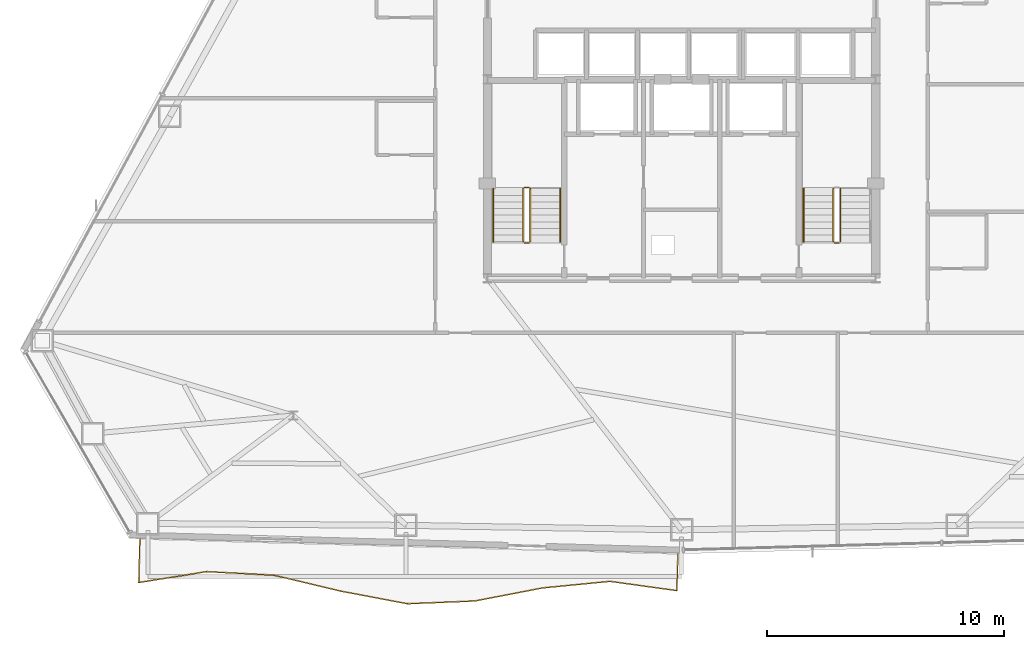
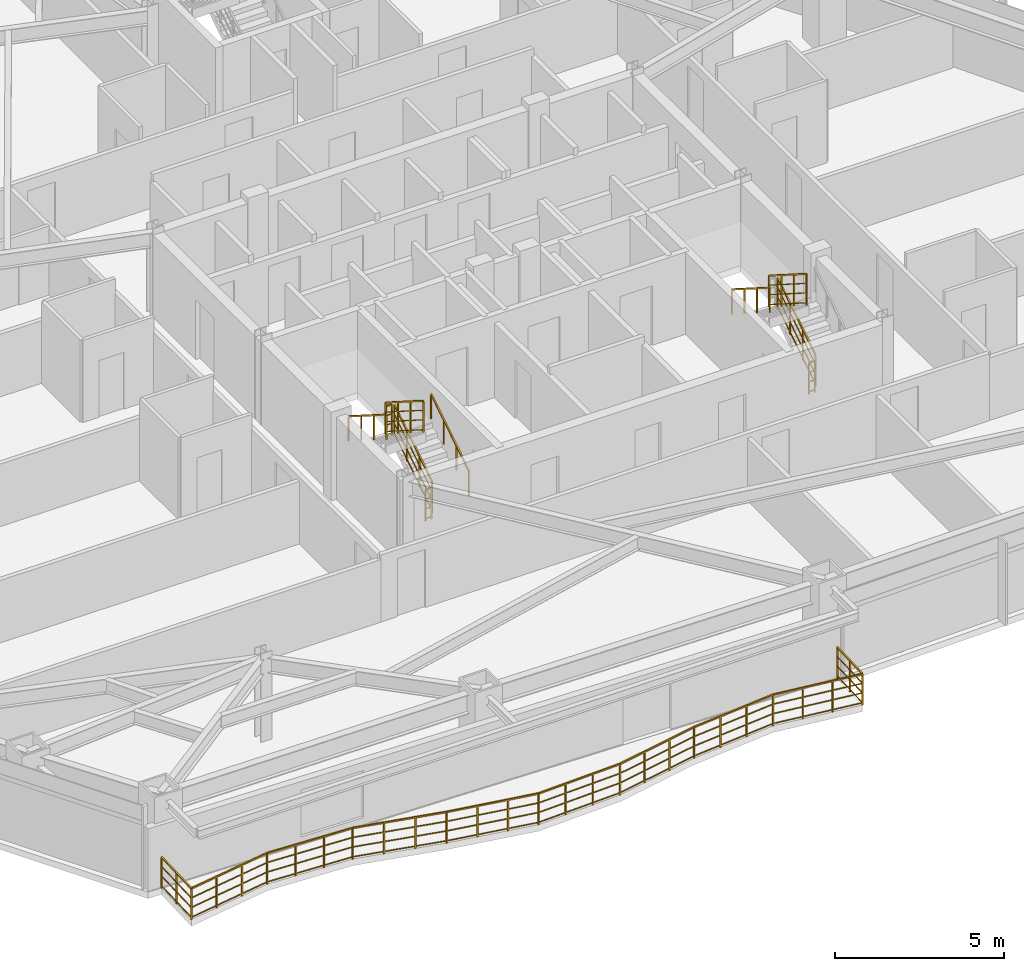
# One storey, part 13 of 14: 20 railings.
"""IFC4 building model written with IfcOpenShell, lengths in metres."""

from ifc_helpers import new_model, si_unit, direction, frame, origin, origin_2d, place, context, subcontext, project, spatial, rectangle, extrude, material, type_object, element, save


model = new_model("IFC4")

# Units and contexts
model_context = context("Model", 3, precision=1e-05, world=origin(), true_north=direction((0.0, 1.0)))
body_context = subcontext(model_context, "Body", "Model", "MODEL_VIEW")
ifc_project = project(units=[si_unit("LENGTHUNIT", "METRE"), si_unit("AREAUNIT", "SQUARE_METRE"), si_unit("VOLUMEUNIT", "CUBIC_METRE"), si_unit("PLANEANGLEUNIT", "RADIAN"), si_unit("MASSUNIT", "GRAM", prefix="KILO")], contexts=[model_context])

# Site, building, storey
site_placement = place(None, origin())
site = spatial("IfcSite", under=ifc_project, at=site_placement, CompositionType="ELEMENT")
building_placement = place(site_placement, origin())
building = spatial("IfcBuilding", under=site, at=building_placement, Name="Varakhsha Concourse Tower", CompositionType="ELEMENT")
storey_placement = place(building_placement, frame((0.0, 0.0, 105.39990234375)))
storey = spatial("IfcBuildingStorey", under=building, at=storey_placement, Name="L30", CompositionType="ELEMENT", Elevation=105.39990234375)

# Railings
ifc_material_1 = material(Name="Laminated Structural Low-Iron Glass 52 mm", Category="glass")
railing_type_1 = type_object("IfcRailingType", Name="RL-BALUSTRADE-1150", PredefinedType="BALUSTRADE", material=ifc_material_1)
railing_1_placement = place(storey_placement, frame((17.11572265625, 5.3876953125, 0.0)))
element("IfcRailing", 1, at=railing_1_placement, inside=storey, type_object=railing_type_1, Name="L30 Perimeter Safety Balustrade RL-LOG-L30-01", PredefinedType="BALUSTRADE", context=body_context, shape_type="SweptSolid", body=[
    extrude(rectangle(XDim=0.048095703125, YDim=0.048095703125, at=origin_2d()), frame((0.0, 0.0, 1.1259765625), z_axis=(-0.027448400015, -0.999623221687, 0.0), x_axis=(0.999623221687, -0.027448400015, 0.0)), (0.0, 0.0, 1.0), 1.85009765625),
    extrude(rectangle(XDim=0.028076171875, YDim=0.028076171875, at=origin_2d()), frame((0.0, 0.0, 0.080078125), z_axis=(-0.027448400015, -0.999623221687, 0.0), x_axis=(0.999623221687, -0.027448400015, 0.0)), (0.0, 0.0, 1.0), 1.85009765625),
    extrude(rectangle(XDim=0.028076171875, YDim=0.028076171875, at=origin_2d()), frame((0.0, 0.0, 0.43701171875), z_axis=(-0.027448400015, -0.999623221687, 0.0), x_axis=(0.999623221687, -0.027448400015, 0.0)), (0.0, 0.0, 1.0), 1.85009765625),
    extrude(rectangle(XDim=0.028076171875, YDim=0.028076171875, at=origin_2d()), frame((0.0, 0.0, 0.781982421875), z_axis=(-0.027448400015, -0.999623221687, 0.0), x_axis=(0.999623221687, -0.027448400015, 0.0)), (0.0, 0.0, 1.0), 1.85009765625),
    extrude(rectangle(XDim=0.0419921875, YDim=0.0419921875, at=origin_2d()), origin(), (0.0, 0.0, 1.0), 1.101806640625),
    extrude(rectangle(XDim=0.0419921875, YDim=0.0419921875, at=origin_2d()), frame((-0.025390625, -0.9248046875, 0.0)), (0.0, 0.0, 1.0), 1.101806640625),
    extrude(rectangle(XDim=0.0419921875, YDim=0.0419921875, at=origin_2d()), frame((-0.05078125, -1.849365234375, 0.0)), (0.0, 0.0, 1.0), 1.101806640625),
])
railing_2_placement = place(storey_placement, frame((17.06494140625, 3.538330078125, 0.0)))
element("IfcRailing", 2, at=railing_2_placement, inside=storey, type_object=railing_type_1, Name="L30 Perimeter Safety Balustrade RL-LOG-L30-02", PredefinedType="BALUSTRADE", context=body_context, shape_type="SweptSolid", body=[
    extrude(rectangle(XDim=0.048095703125, YDim=0.048095703125, at=origin_2d()), frame((0.0, 0.0, 1.1259765625), z_axis=(0.98725566501, 0.159142237967, 0.0), x_axis=(-0.159142237967, 0.98725566501, 0.0)), (0.0, 0.0, 1.0), 2.893310546875),
    extrude(rectangle(XDim=0.028076171875, YDim=0.028076171875, at=origin_2d()), frame((0.0, 0.0, 0.080078125), z_axis=(0.98725566501, 0.159142237967, 0.0), x_axis=(-0.159142237967, 0.98725566501, 0.0)), (0.0, 0.0, 1.0), 2.893310546875),
    extrude(rectangle(XDim=0.028076171875, YDim=0.028076171875, at=origin_2d()), frame((0.0, 0.0, 0.43701171875), z_axis=(0.98725566501, 0.159142237967, 0.0), x_axis=(-0.159142237967, 0.98725566501, 0.0)), (0.0, 0.0, 1.0), 2.893310546875),
    extrude(rectangle(XDim=0.028076171875, YDim=0.028076171875, at=origin_2d()), frame((0.0, 0.0, 0.781982421875), z_axis=(0.98725566501, 0.159142237967, 0.0), x_axis=(-0.159142237967, 0.98725566501, 0.0)), (0.0, 0.0, 1.0), 2.893310546875),
    extrude(rectangle(XDim=0.0419921875, YDim=0.0419921875, at=origin_2d()), origin(), (0.0, 0.0, 1.0), 1.101806640625),
    extrude(rectangle(XDim=0.0419921875, YDim=0.0419921875, at=origin_2d()), frame((0.9521484375, 0.153564453125, 0.0)), (0.0, 0.0, 1.0), 1.101806640625),
    extrude(rectangle(XDim=0.0419921875, YDim=0.0419921875, at=origin_2d()), frame((1.904296875, 0.306884765625, 0.0)), (0.0, 0.0, 1.0), 1.101806640625),
    extrude(rectangle(XDim=0.0419921875, YDim=0.0419921875, at=origin_2d()), frame((2.8564453125, 0.46044921875, 0.0)), (0.0, 0.0, 1.0), 1.101806640625),
])
railing_3_placement = place(storey_placement, frame((19.92138671875, 3.998779296875, 0.0)))
element("IfcRailing", 3, at=railing_3_placement, inside=storey, type_object=railing_type_1, Name="L30 Perimeter Safety Balustrade RL-LOG-L30-03", PredefinedType="BALUSTRADE", context=body_context, shape_type="SweptSolid", body=[
    extrude(rectangle(XDim=0.048095703125, YDim=0.048095703125, at=origin_2d()), frame((0.0, 0.0, 1.1259765625), z_axis=(0.998716329065, -0.050652680663, 0.0), x_axis=(0.050652680663, 0.998716329065, 0.0)), (0.0, 0.0, 1.0), 2.84375),
    extrude(rectangle(XDim=0.028076171875, YDim=0.028076171875, at=origin_2d()), frame((0.0, 0.0, 0.080078125), z_axis=(0.998716329065, -0.050652680663, 0.0), x_axis=(0.050652680663, 0.998716329065, 0.0)), (0.0, 0.0, 1.0), 2.84375),
    extrude(rectangle(XDim=0.028076171875, YDim=0.028076171875, at=origin_2d()), frame((0.0, 0.0, 0.43701171875), z_axis=(0.998716329065, -0.050652680663, 0.0), x_axis=(0.050652680663, 0.998716329065, 0.0)), (0.0, 0.0, 1.0), 2.84375),
    extrude(rectangle(XDim=0.028076171875, YDim=0.028076171875, at=origin_2d()), frame((0.0, 0.0, 0.781982421875), z_axis=(0.998716329065, -0.050652680663, 0.0), x_axis=(0.050652680663, 0.998716329065, 0.0)), (0.0, 0.0, 1.0), 2.84375),
    extrude(rectangle(XDim=0.0419921875, YDim=0.0419921875, at=origin_2d()), origin(), (0.0, 0.0, 1.0), 1.101806640625),
    extrude(rectangle(XDim=0.0419921875, YDim=0.0419921875, at=origin_2d()), frame((0.94677734375, -0.048095703125, 0.0)), (0.0, 0.0, 1.0), 1.101806640625),
    extrude(rectangle(XDim=0.0419921875, YDim=0.0419921875, at=origin_2d()), frame((1.893310546875, -0.095947265625, 0.0)), (0.0, 0.0, 1.0), 1.101806640625),
    extrude(rectangle(XDim=0.0419921875, YDim=0.0419921875, at=origin_2d()), frame((2.840087890625, -0.14404296875, 0.0)), (0.0, 0.0, 1.0), 1.101806640625),
])
railing_4_placement = place(storey_placement, frame((22.761474609375, 3.854736328125, 0.0)))
element("IfcRailing", 4, at=railing_4_placement, inside=storey, type_object=railing_type_1, Name="L30 Perimeter Safety Balustrade RL-LOG-L30-04", PredefinedType="BALUSTRADE", context=body_context, shape_type="SweptSolid", body=[
    extrude(rectangle(XDim=0.048095703125, YDim=0.048095703125, at=origin_2d()), frame((0.0, 0.0, 1.1259765625), z_axis=(0.972625570758, -0.232377923023, 0.0), x_axis=(0.232377923023, 0.972625570758, 0.0)), (0.0, 0.0, 1.0), 2.905029296875),
    extrude(rectangle(XDim=0.028076171875, YDim=0.028076171875, at=origin_2d()), frame((0.0, 0.0, 0.080078125), z_axis=(0.972625570758, -0.232377923023, 0.0), x_axis=(0.232377923023, 0.972625570758, 0.0)), (0.0, 0.0, 1.0), 2.905029296875),
    extrude(rectangle(XDim=0.028076171875, YDim=0.028076171875, at=origin_2d()), frame((0.0, 0.0, 0.43701171875), z_axis=(0.972625570758, -0.232377923023, 0.0), x_axis=(0.232377923023, 0.972625570758, 0.0)), (0.0, 0.0, 1.0), 2.905029296875),
    extrude(rectangle(XDim=0.028076171875, YDim=0.028076171875, at=origin_2d()), frame((0.0, 0.0, 0.781982421875), z_axis=(0.972625570758, -0.232377923023, 0.0), x_axis=(0.232377923023, 0.972625570758, 0.0)), (0.0, 0.0, 1.0), 2.905029296875),
    extrude(rectangle(XDim=0.0419921875, YDim=0.0419921875, at=origin_2d()), origin(), (0.0, 0.0, 1.0), 1.101806640625),
    extrude(rectangle(XDim=0.0419921875, YDim=0.0419921875, at=origin_2d()), frame((0.94189453125, -0.22509765625, 0.0)), (0.0, 0.0, 1.0), 1.101806640625),
    extrude(rectangle(XDim=0.0419921875, YDim=0.0419921875, at=origin_2d()), frame((1.883544921875, -0.449951171875, 0.0)), (0.0, 0.0, 1.0), 1.101806640625),
    extrude(rectangle(XDim=0.0419921875, YDim=0.0419921875, at=origin_2d()), frame((2.825439453125, -0.675048828125, 0.0)), (0.0, 0.0, 1.0), 1.101806640625),
])
railing_5_placement = place(storey_placement, frame((25.5869140625, 3.1796875, 0.0)))
element("IfcRailing", 5, at=railing_5_placement, inside=storey, type_object=railing_type_1, Name="L30 Perimeter Safety Balustrade RL-LOG-L30-05", PredefinedType="BALUSTRADE", context=body_context, shape_type="SweptSolid", body=[
    extrude(rectangle(XDim=0.048095703125, YDim=0.048095703125, at=origin_2d()), frame((0.0, 0.0, 1.1259765625), z_axis=(0.982513276252, -0.186192540098, 0.0), x_axis=(0.186192540098, 0.982513276252, 0.0)), (0.0, 0.0, 1.0), 2.87939453125),
    extrude(rectangle(XDim=0.028076171875, YDim=0.028076171875, at=origin_2d()), frame((0.0, 0.0, 0.080078125), z_axis=(0.982513276252, -0.186192540098, 0.0), x_axis=(0.186192540098, 0.982513276252, 0.0)), (0.0, 0.0, 1.0), 2.87939453125),
    extrude(rectangle(XDim=0.028076171875, YDim=0.028076171875, at=origin_2d()), frame((0.0, 0.0, 0.43701171875), z_axis=(0.982513276252, -0.186192540098, 0.0), x_axis=(0.186192540098, 0.982513276252, 0.0)), (0.0, 0.0, 1.0), 2.87939453125),
    extrude(rectangle(XDim=0.028076171875, YDim=0.028076171875, at=origin_2d()), frame((0.0, 0.0, 0.781982421875), z_axis=(0.982513276252, -0.186192540098, 0.0), x_axis=(0.186192540098, 0.982513276252, 0.0)), (0.0, 0.0, 1.0), 2.87939453125),
    extrude(rectangle(XDim=0.0419921875, YDim=0.0419921875, at=origin_2d()), origin(), (0.0, 0.0, 1.0), 1.101806640625),
    extrude(rectangle(XDim=0.0419921875, YDim=0.0419921875, at=origin_2d()), frame((0.943115234375, -0.1787109375, 0.0)), (0.0, 0.0, 1.0), 1.101806640625),
    extrude(rectangle(XDim=0.0419921875, YDim=0.0419921875, at=origin_2d()), frame((1.885986328125, -0.357421875, 0.0)), (0.0, 0.0, 1.0), 1.101806640625),
    extrude(rectangle(XDim=0.0419921875, YDim=0.0419921875, at=origin_2d()), frame((2.8291015625, -0.5361328125, 0.0)), (0.0, 0.0, 1.0), 1.101806640625),
])
railing_6_placement = place(storey_placement, frame((28.416015625, 2.6435546875, 0.0)))
element("IfcRailing", 6, at=railing_6_placement, inside=storey, type_object=railing_type_1, Name="L30 Perimeter Safety Balustrade RL-LOG-L30-06", PredefinedType="BALUSTRADE", context=body_context, shape_type="SweptSolid", body=[
    extrude(rectangle(XDim=0.048095703125, YDim=0.048095703125, at=origin_2d()), frame((0.0, 0.0, 1.1259765625), z_axis=(0.999168053101, 0.040782369514, 0.0), x_axis=(-0.040782369514, 0.999168053101, 0.0)), (0.0, 0.0, 1.0), 2.849609375),
    extrude(rectangle(XDim=0.028076171875, YDim=0.028076171875, at=origin_2d()), frame((0.0, 0.0, 0.080078125), z_axis=(0.999168053101, 0.040782369514, 0.0), x_axis=(-0.040782369514, 0.999168053101, 0.0)), (0.0, 0.0, 1.0), 2.849609375),
    extrude(rectangle(XDim=0.028076171875, YDim=0.028076171875, at=origin_2d()), frame((0.0, 0.0, 0.43701171875), z_axis=(0.999168053101, 0.040782369514, 0.0), x_axis=(-0.040782369514, 0.999168053101, 0.0)), (0.0, 0.0, 1.0), 2.849609375),
    extrude(rectangle(XDim=0.028076171875, YDim=0.028076171875, at=origin_2d()), frame((0.0, 0.0, 0.781982421875), z_axis=(0.999168053101, 0.040782369514, 0.0), x_axis=(-0.040782369514, 0.999168053101, 0.0)), (0.0, 0.0, 1.0), 2.849609375),
    extrude(rectangle(XDim=0.0419921875, YDim=0.0419921875, at=origin_2d()), origin(), (0.0, 0.0, 1.0), 1.101806640625),
    extrude(rectangle(XDim=0.0419921875, YDim=0.0419921875, at=origin_2d()), frame((0.948974609375, 0.038818359375, 0.0)), (0.0, 0.0, 1.0), 1.101806640625),
    extrude(rectangle(XDim=0.0419921875, YDim=0.0419921875, at=origin_2d()), frame((1.898193359375, 0.077392578125, 0.0)), (0.0, 0.0, 1.0), 1.101806640625),
    extrude(rectangle(XDim=0.0419921875, YDim=0.0419921875, at=origin_2d()), frame((2.84716796875, 0.1162109375, 0.0)), (0.0, 0.0, 1.0), 1.101806640625),
])
railing_7_placement = place(storey_placement, frame((31.26318359375, 2.759765625, 0.0)))
element("IfcRailing", 7, at=railing_7_placement, inside=storey, type_object=railing_type_1, Name="L30 Perimeter Safety Balustrade RL-LOG-L30-07", PredefinedType="BALUSTRADE", context=body_context, shape_type="SweptSolid", body=[
    extrude(rectangle(XDim=0.048095703125, YDim=0.048095703125, at=origin_2d()), frame((0.0, 0.0, 1.1259765625), z_axis=(0.981961563981, 0.189080635879, 0.0), x_axis=(-0.189080635879, 0.981961563981, 0.0)), (0.0, 0.0, 1.0), 2.91162109375),
    extrude(rectangle(XDim=0.028076171875, YDim=0.028076171875, at=origin_2d()), frame((0.0, 0.0, 0.080078125), z_axis=(0.981961563981, 0.189080635879, 0.0), x_axis=(-0.189080635879, 0.981961563981, 0.0)), (0.0, 0.0, 1.0), 2.91162109375),
    extrude(rectangle(XDim=0.028076171875, YDim=0.028076171875, at=origin_2d()), frame((0.0, 0.0, 0.43701171875), z_axis=(0.981961563981, 0.189080635879, 0.0), x_axis=(-0.189080635879, 0.981961563981, 0.0)), (0.0, 0.0, 1.0), 2.91162109375),
    extrude(rectangle(XDim=0.028076171875, YDim=0.028076171875, at=origin_2d()), frame((0.0, 0.0, 0.781982421875), z_axis=(0.981961563981, 0.189080635879, 0.0), x_axis=(-0.189080635879, 0.981961563981, 0.0)), (0.0, 0.0, 1.0), 2.91162109375),
    extrude(rectangle(XDim=0.0419921875, YDim=0.0419921875, at=origin_2d()), origin(), (0.0, 0.0, 1.0), 1.101806640625),
    extrude(rectangle(XDim=0.0419921875, YDim=0.0419921875, at=origin_2d()), frame((0.953125, 0.18359375, 0.0)), (0.0, 0.0, 1.0), 1.101806640625),
    extrude(rectangle(XDim=0.0419921875, YDim=0.0419921875, at=origin_2d()), frame((1.906005859375, 0.366943359375, 0.0)), (0.0, 0.0, 1.0), 1.101806640625),
    extrude(rectangle(XDim=0.0419921875, YDim=0.0419921875, at=origin_2d()), frame((2.859130859375, 0.550537109375, 0.0)), (0.0, 0.0, 1.0), 1.101806640625),
])
railing_8_placement = place(storey_placement, frame((34.122314453125, 3.310302734375, 0.0)))
element("IfcRailing", 8, at=railing_8_placement, inside=storey, type_object=railing_type_1, Name="L30 Perimeter Safety Balustrade RL-LOG-L30-08", PredefinedType="BALUSTRADE", context=body_context, shape_type="SweptSolid", body=[
    extrude(rectangle(XDim=0.048095703125, YDim=0.048095703125, at=origin_2d()), frame((0.0, 0.0, 1.1259765625), z_axis=(0.995237606272, 0.097478751847, 0.0), x_axis=(-0.097478751847, 0.995237606272, 0.0)), (0.0, 0.0, 1.0), 2.865234375),
    extrude(rectangle(XDim=0.028076171875, YDim=0.028076171875, at=origin_2d()), frame((0.0, 0.0, 0.080078125), z_axis=(0.995237606272, 0.097478751847, 0.0), x_axis=(-0.097478751847, 0.995237606272, 0.0)), (0.0, 0.0, 1.0), 2.865234375),
    extrude(rectangle(XDim=0.028076171875, YDim=0.028076171875, at=origin_2d()), frame((0.0, 0.0, 0.43701171875), z_axis=(0.995237606272, 0.097478751847, 0.0), x_axis=(-0.097478751847, 0.995237606272, 0.0)), (0.0, 0.0, 1.0), 2.865234375),
    extrude(rectangle(XDim=0.028076171875, YDim=0.028076171875, at=origin_2d()), frame((0.0, 0.0, 0.781982421875), z_axis=(0.995237606272, 0.097478751847, 0.0), x_axis=(-0.097478751847, 0.995237606272, 0.0)), (0.0, 0.0, 1.0), 2.865234375),
    extrude(rectangle(XDim=0.0419921875, YDim=0.0419921875, at=origin_2d()), origin(), (0.0, 0.0, 1.0), 1.101806640625),
    extrude(rectangle(XDim=0.0419921875, YDim=0.0419921875, at=origin_2d()), frame((0.950439453125, 0.093017578125, 0.0)), (0.0, 0.0, 1.0), 1.101806640625),
    extrude(rectangle(XDim=0.0419921875, YDim=0.0419921875, at=origin_2d()), frame((1.901123046875, 0.186279296875, 0.0)), (0.0, 0.0, 1.0), 1.101806640625),
    extrude(rectangle(XDim=0.0419921875, YDim=0.0419921875, at=origin_2d()), frame((2.8515625, 0.279296875, 0.0)), (0.0, 0.0, 1.0), 1.101806640625),
])
railing_9_placement = place(storey_placement, frame((36.973876953125, 3.589599609375, 0.0)))
element("IfcRailing", 9, at=railing_9_placement, inside=storey, type_object=railing_type_1, Name="L30 Perimeter Safety Balustrade RL-LOG-L30-09", PredefinedType="BALUSTRADE", context=body_context, shape_type="SweptSolid", body=[
    extrude(rectangle(XDim=0.048095703125, YDim=0.048095703125, at=origin_2d()), frame((0.0, 0.0, 1.1259765625), z_axis=(0.990488395835, -0.137596285254, 0.0), x_axis=(0.137596285254, 0.990488395835, 0.0)), (0.0, 0.0, 1.0), 2.860107421875),
    extrude(rectangle(XDim=0.028076171875, YDim=0.028076171875, at=origin_2d()), frame((0.0, 0.0, 0.080078125), z_axis=(0.990488395835, -0.137596285254, 0.0), x_axis=(0.137596285254, 0.990488395835, 0.0)), (0.0, 0.0, 1.0), 2.860107421875),
    extrude(rectangle(XDim=0.028076171875, YDim=0.028076171875, at=origin_2d()), frame((0.0, 0.0, 0.43701171875), z_axis=(0.990488395835, -0.137596285254, 0.0), x_axis=(0.137596285254, 0.990488395835, 0.0)), (0.0, 0.0, 1.0), 2.860107421875),
    extrude(rectangle(XDim=0.028076171875, YDim=0.028076171875, at=origin_2d()), frame((0.0, 0.0, 0.781982421875), z_axis=(0.990488395835, -0.137596285254, 0.0), x_axis=(0.137596285254, 0.990488395835, 0.0)), (0.0, 0.0, 1.0), 2.860107421875),
    extrude(rectangle(XDim=0.0419921875, YDim=0.0419921875, at=origin_2d()), origin(), (0.0, 0.0, 1.0), 1.101806640625),
    extrude(rectangle(XDim=0.0419921875, YDim=0.0419921875, at=origin_2d()), frame((0.9443359375, -0.131103515625, 0.0)), (0.0, 0.0, 1.0), 1.101806640625),
    extrude(rectangle(XDim=0.0419921875, YDim=0.0419921875, at=origin_2d()), frame((1.888671875, -0.262451171875, 0.0)), (0.0, 0.0, 1.0), 1.101806640625),
    extrude(rectangle(XDim=0.0419921875, YDim=0.0419921875, at=origin_2d()), frame((2.8330078125, -0.3935546875, 0.0)), (0.0, 0.0, 1.0), 1.101806640625),
])
railing_10_placement = place(storey_placement, frame((39.806884765625, 3.196044921875, 0.0)))
element("IfcRailing", 10, at=railing_10_placement, inside=storey, type_object=railing_type_1, Name="L30 Perimeter Safety Balustrade RL-LOG-L30-10", PredefinedType="BALUSTRADE", context=body_context, shape_type="SweptSolid", body=[
    extrude(rectangle(XDim=0.048095703125, YDim=0.048095703125, at=origin_2d()), frame((0.0, 0.0, 1.1259765625), z_axis=(0.027602583272, 0.999618976109, 0.0), x_axis=(-0.999618976109, 0.027602583272, 0.0)), (0.0, 0.0, 1.0), 1.5654296875),
    extrude(rectangle(XDim=0.028076171875, YDim=0.028076171875, at=origin_2d()), frame((0.0, 0.0, 0.080078125), z_axis=(0.027602583272, 0.999618976109, 0.0), x_axis=(-0.999618976109, 0.027602583272, 0.0)), (0.0, 0.0, 1.0), 1.5654296875),
    extrude(rectangle(XDim=0.028076171875, YDim=0.028076171875, at=origin_2d()), frame((0.0, 0.0, 0.43701171875), z_axis=(0.027602583272, 0.999618976109, 0.0), x_axis=(-0.999618976109, 0.027602583272, 0.0)), (0.0, 0.0, 1.0), 1.5654296875),
    extrude(rectangle(XDim=0.028076171875, YDim=0.028076171875, at=origin_2d()), frame((0.0, 0.0, 0.781982421875), z_axis=(0.027602583272, 0.999618976109, 0.0), x_axis=(-0.999618976109, 0.027602583272, 0.0)), (0.0, 0.0, 1.0), 1.5654296875),
    extrude(rectangle(XDim=0.0419921875, YDim=0.0419921875, at=origin_2d()), origin(), (0.0, 0.0, 1.0), 1.101806640625),
    extrude(rectangle(XDim=0.0419921875, YDim=0.0419921875, at=origin_2d()), frame((0.021484375, 0.782470703125, 0.0)), (0.0, 0.0, 1.0), 1.101806640625),
    extrude(rectangle(XDim=0.0419921875, YDim=0.0419921875, at=origin_2d()), frame((0.043212890625, 1.56494140625, 0.0)), (0.0, 0.0, 1.0), 1.101806640625),
])
ifc_material_2 = material(Name="Brushed Austenitic Stainless Steel AISI 316", Category="steel")
railing_type_2 = type_object("IfcRailingType", Name="RL-STAIR-GUARD-1100", PredefinedType="GUARDRAIL", material=ifc_material_2)
railing_11_placement = place(storey_placement, frame((33.610107421875, 17.93994140625, 0.177978515625)))
element("IfcRailing", 11, at=railing_11_placement, inside=storey, type_object=railing_type_2, Name="L30 ST1 stair guard 1", PredefinedType="GUARDRAIL", context=body_context, shape_type="SweptSolid", body=[
    extrude(rectangle(XDim=0.048095703125, YDim=0.048095703125, at=origin_2d()), frame((0.0, 0.0, 1.1259765625), z_axis=(0.0, 0.8442293374, 0.53598211339), x_axis=(-1.0, 0.0, 0.0)), (0.0, 0.0, 1.0), 2.6533203125),
    extrude(rectangle(XDim=0.028076171875, YDim=0.028076171875, at=origin_2d()), frame((0.0, 0.0, 0.080078125), z_axis=(0.0, 0.8442293374, 0.53598211339), x_axis=(-1.0, 0.0, 0.0)), (0.0, 0.0, 1.0), 2.6533203125),
    extrude(rectangle(XDim=0.028076171875, YDim=0.028076171875, at=origin_2d()), frame((0.0, 0.0, 0.43701171875), z_axis=(0.0, 0.8442293374, 0.53598211339), x_axis=(-1.0, 0.0, 0.0)), (0.0, 0.0, 1.0), 2.6533203125),
    extrude(rectangle(XDim=0.028076171875, YDim=0.028076171875, at=origin_2d()), frame((0.0, 0.0, 0.781982421875), z_axis=(0.0, 0.8442293374, 0.53598211339), x_axis=(-1.0, 0.0, 0.0)), (0.0, 0.0, 1.0), 2.6533203125),
    extrude(rectangle(XDim=0.0419921875, YDim=0.0419921875, at=origin_2d()), origin(), (0.0, 0.0, 1.0), 1.101806640625),
    extrude(rectangle(XDim=0.0419921875, YDim=0.0419921875, at=origin_2d()), frame((0.0, 0.74658203125, 0.47412109375)), (0.0, 0.0, 1.0), 1.101806640625),
    extrude(rectangle(XDim=0.0419921875, YDim=0.0419921875, at=origin_2d()), frame((0.0, 1.493408203125, 0.947998046875)), (0.0, 0.0, 1.0), 1.101806640625),
    extrude(rectangle(XDim=0.0419921875, YDim=0.0419921875, at=origin_2d()), frame((0.0, 2.239990234375, 1.422119140625)), (0.0, 0.0, 1.0), 1.101806640625),
])
railing_12_placement = place(storey_placement, frame((33.56005859375, 20.22998046875, 1.60009765625)))
element("IfcRailing", 12, at=railing_12_placement, inside=storey, type_object=railing_type_2, Name="L30 ST1 stair guard 2", PredefinedType="GUARDRAIL", context=body_context, shape_type="SweptSolid", body=[
    extrude(rectangle(XDim=0.048095703125, YDim=0.048095703125, at=origin_2d()), frame((0.0, 0.0, 1.1259765625), z_axis=(-1.0, 0.0, 0.0), x_axis=(0.0, -1.0, 0.0)), (0.0, 0.0, 1.0), 0.199951171875),
    extrude(rectangle(XDim=0.028076171875, YDim=0.028076171875, at=origin_2d()), frame((0.0, 0.0, 0.080078125), z_axis=(-1.0, 0.0, 0.0), x_axis=(0.0, -1.0, 0.0)), (0.0, 0.0, 1.0), 0.199951171875),
    extrude(rectangle(XDim=0.028076171875, YDim=0.028076171875, at=origin_2d()), frame((0.0, 0.0, 0.43701171875), z_axis=(-1.0, 0.0, 0.0), x_axis=(0.0, -1.0, 0.0)), (0.0, 0.0, 1.0), 0.199951171875),
    extrude(rectangle(XDim=0.028076171875, YDim=0.028076171875, at=origin_2d()), frame((0.0, 0.0, 0.781982421875), z_axis=(-1.0, 0.0, 0.0), x_axis=(0.0, -1.0, 0.0)), (0.0, 0.0, 1.0), 0.199951171875),
    extrude(rectangle(XDim=0.0419921875, YDim=0.0419921875, at=origin_2d()), origin(), (0.0, 0.0, 1.0), 1.101806640625),
    extrude(rectangle(XDim=0.0419921875, YDim=0.0419921875, at=origin_2d()), frame((-0.199951171875, 0.0, 0.0)), (0.0, 0.0, 1.0), 1.101806640625),
])
railing_13_placement = place(storey_placement, frame((33.31005859375, 20.179931640625, 1.77783203125)))
element("IfcRailing", 13, at=railing_13_placement, inside=storey, type_object=railing_type_2, Name="L30 ST1 stair guard 3", PredefinedType="GUARDRAIL", context=body_context, shape_type="SweptSolid", body=[
    extrude(rectangle(XDim=0.048095703125, YDim=0.048095703125, at=origin_2d()), frame((0.0, 0.0, 1.1259765625), z_axis=(0.0, -0.84418770128, 0.536047689118), x_axis=(1.0, 0.0, 0.0)), (0.0, 0.0, 1.0), 2.6533203125),
    extrude(rectangle(XDim=0.028076171875, YDim=0.028076171875, at=origin_2d()), frame((0.0, 0.0, 0.080078125), z_axis=(0.0, -0.84418770128, 0.536047689118), x_axis=(1.0, 0.0, 0.0)), (0.0, 0.0, 1.0), 2.6533203125),
    extrude(rectangle(XDim=0.028076171875, YDim=0.028076171875, at=origin_2d()), frame((0.0, 0.0, 0.43701171875), z_axis=(0.0, -0.84418770128, 0.536047689118), x_axis=(1.0, 0.0, 0.0)), (0.0, 0.0, 1.0), 2.6533203125),
    extrude(rectangle(XDim=0.028076171875, YDim=0.028076171875, at=origin_2d()), frame((0.0, 0.0, 0.781982421875), z_axis=(0.0, -0.84418770128, 0.536047689118), x_axis=(1.0, 0.0, 0.0)), (0.0, 0.0, 1.0), 2.6533203125),
    extrude(rectangle(XDim=0.0419921875, YDim=0.0419921875, at=origin_2d()), origin(), (0.0, 0.0, 1.0), 1.101806640625),
    extrude(rectangle(XDim=0.0419921875, YDim=0.0419921875, at=origin_2d()), frame((0.0, -0.74658203125, 0.47412109375)), (0.0, 0.0, 1.0), 1.101806640625),
    extrude(rectangle(XDim=0.0419921875, YDim=0.0419921875, at=origin_2d()), frame((0.0, -1.493408203125, 0.9482421875)), (0.0, 0.0, 1.0), 1.101806640625),
    extrude(rectangle(XDim=0.0419921875, YDim=0.0419921875, at=origin_2d()), frame((0.0, -2.239990234375, 1.42236328125)), (0.0, 0.0, 1.0), 1.101806640625),
])
railing_14_placement = place(storey_placement, frame((33.56005859375, 17.889892578125, 0.0)))
element("IfcRailing", 14, at=railing_14_placement, inside=storey, type_object=railing_type_2, Name="L30 ST1 stair guard 4", PredefinedType="GUARDRAIL", context=body_context, shape_type="SweptSolid", body=[
    extrude(rectangle(XDim=0.048095703125, YDim=0.048095703125, at=origin_2d()), frame((0.0, 0.0, 1.1259765625), z_axis=(-1.0, 0.0, 0.0), x_axis=(0.0, -1.0, 0.0)), (0.0, 0.0, 1.0), 0.199951171875),
    extrude(rectangle(XDim=0.028076171875, YDim=0.028076171875, at=origin_2d()), frame((0.0, 0.0, 0.080078125), z_axis=(-1.0, 0.0, 0.0), x_axis=(0.0, -1.0, 0.0)), (0.0, 0.0, 1.0), 0.199951171875),
    extrude(rectangle(XDim=0.028076171875, YDim=0.028076171875, at=origin_2d()), frame((0.0, 0.0, 0.43701171875), z_axis=(-1.0, 0.0, 0.0), x_axis=(0.0, -1.0, 0.0)), (0.0, 0.0, 1.0), 0.199951171875),
    extrude(rectangle(XDim=0.028076171875, YDim=0.028076171875, at=origin_2d()), frame((0.0, 0.0, 0.781982421875), z_axis=(-1.0, 0.0, 0.0), x_axis=(0.0, -1.0, 0.0)), (0.0, 0.0, 1.0), 0.199951171875),
    extrude(rectangle(XDim=0.0419921875, YDim=0.0419921875, at=origin_2d()), origin(), (0.0, 0.0, 1.0), 1.101806640625),
    extrude(rectangle(XDim=0.0419921875, YDim=0.0419921875, at=origin_2d()), frame((-0.199951171875, 0.0, 0.0)), (0.0, 0.0, 1.0), 1.101806640625),
])
railing_15_placement = place(storey_placement, frame((46.7099609375, 17.93994140625, 0.177978515625)))
element("IfcRailing", 15, at=railing_15_placement, inside=storey, type_object=railing_type_2, Name="L30 ST2 stair guard 1", PredefinedType="GUARDRAIL", context=body_context, shape_type="SweptSolid", body=[
    extrude(rectangle(XDim=0.048095703125, YDim=0.048095703125, at=origin_2d()), frame((0.0, 0.0, 1.1259765625), z_axis=(0.0, 0.8442293374, 0.53598211339), x_axis=(-1.0, 0.0, 0.0)), (0.0, 0.0, 1.0), 2.6533203125),
    extrude(rectangle(XDim=0.028076171875, YDim=0.028076171875, at=origin_2d()), frame((0.0, 0.0, 0.080078125), z_axis=(0.0, 0.8442293374, 0.53598211339), x_axis=(-1.0, 0.0, 0.0)), (0.0, 0.0, 1.0), 2.6533203125),
    extrude(rectangle(XDim=0.028076171875, YDim=0.028076171875, at=origin_2d()), frame((0.0, 0.0, 0.43701171875), z_axis=(0.0, 0.8442293374, 0.53598211339), x_axis=(-1.0, 0.0, 0.0)), (0.0, 0.0, 1.0), 2.6533203125),
    extrude(rectangle(XDim=0.028076171875, YDim=0.028076171875, at=origin_2d()), frame((0.0, 0.0, 0.781982421875), z_axis=(0.0, 0.8442293374, 0.53598211339), x_axis=(-1.0, 0.0, 0.0)), (0.0, 0.0, 1.0), 2.6533203125),
    extrude(rectangle(XDim=0.0419921875, YDim=0.0419921875, at=origin_2d()), origin(), (0.0, 0.0, 1.0), 1.101806640625),
    extrude(rectangle(XDim=0.0419921875, YDim=0.0419921875, at=origin_2d()), frame((0.0, 0.74658203125, 0.47412109375)), (0.0, 0.0, 1.0), 1.101806640625),
    extrude(rectangle(XDim=0.0419921875, YDim=0.0419921875, at=origin_2d()), frame((0.0, 1.493408203125, 0.947998046875)), (0.0, 0.0, 1.0), 1.101806640625),
    extrude(rectangle(XDim=0.0419921875, YDim=0.0419921875, at=origin_2d()), frame((0.0, 2.239990234375, 1.422119140625)), (0.0, 0.0, 1.0), 1.101806640625),
])
railing_16_placement = place(storey_placement, frame((46.409912109375, 20.179931640625, 1.77783203125)))
element("IfcRailing", 16, at=railing_16_placement, inside=storey, type_object=railing_type_2, Name="L30 ST2 stair guard 3", PredefinedType="GUARDRAIL", context=body_context, shape_type="SweptSolid", body=[
    extrude(rectangle(XDim=0.048095703125, YDim=0.048095703125, at=origin_2d()), frame((0.0, 0.0, 1.1259765625), z_axis=(0.0, -0.84418770128, 0.536047689118), x_axis=(1.0, 0.0, 0.0)), (0.0, 0.0, 1.0), 2.6533203125),
    extrude(rectangle(XDim=0.028076171875, YDim=0.028076171875, at=origin_2d()), frame((0.0, 0.0, 0.080078125), z_axis=(0.0, -0.84418770128, 0.536047689118), x_axis=(1.0, 0.0, 0.0)), (0.0, 0.0, 1.0), 2.6533203125),
    extrude(rectangle(XDim=0.028076171875, YDim=0.028076171875, at=origin_2d()), frame((0.0, 0.0, 0.43701171875), z_axis=(0.0, -0.84418770128, 0.536047689118), x_axis=(1.0, 0.0, 0.0)), (0.0, 0.0, 1.0), 2.6533203125),
    extrude(rectangle(XDim=0.028076171875, YDim=0.028076171875, at=origin_2d()), frame((0.0, 0.0, 0.781982421875), z_axis=(0.0, -0.84418770128, 0.536047689118), x_axis=(1.0, 0.0, 0.0)), (0.0, 0.0, 1.0), 2.6533203125),
    extrude(rectangle(XDim=0.0419921875, YDim=0.0419921875, at=origin_2d()), origin(), (0.0, 0.0, 1.0), 1.101806640625),
    extrude(rectangle(XDim=0.0419921875, YDim=0.0419921875, at=origin_2d()), frame((0.0, -0.74658203125, 0.47412109375)), (0.0, 0.0, 1.0), 1.101806640625),
    extrude(rectangle(XDim=0.0419921875, YDim=0.0419921875, at=origin_2d()), frame((0.0, -1.493408203125, 0.9482421875)), (0.0, 0.0, 1.0), 1.101806640625),
    extrude(rectangle(XDim=0.0419921875, YDim=0.0419921875, at=origin_2d()), frame((0.0, -2.239990234375, 1.42236328125)), (0.0, 0.0, 1.0), 1.101806640625),
])
railing_17_placement = place(storey_placement, frame((46.659912109375, 17.889892578125, 0.0)))
element("IfcRailing", 17, at=railing_17_placement, inside=storey, type_object=railing_type_2, Name="L30 ST2 stair guard 4", PredefinedType="GUARDRAIL", context=body_context, shape_type="SweptSolid", body=[
    extrude(rectangle(XDim=0.048095703125, YDim=0.048095703125, at=origin_2d()), frame((0.0, 0.0, 1.1259765625), z_axis=(-1.0, 0.0, 0.0), x_axis=(0.0, -1.0, 0.0)), (0.0, 0.0, 1.0), 0.199951171875),
    extrude(rectangle(XDim=0.028076171875, YDim=0.028076171875, at=origin_2d()), frame((0.0, 0.0, 0.080078125), z_axis=(-1.0, 0.0, 0.0), x_axis=(0.0, -1.0, 0.0)), (0.0, 0.0, 1.0), 0.199951171875),
    extrude(rectangle(XDim=0.028076171875, YDim=0.028076171875, at=origin_2d()), frame((0.0, 0.0, 0.43701171875), z_axis=(-1.0, 0.0, 0.0), x_axis=(0.0, -1.0, 0.0)), (0.0, 0.0, 1.0), 0.199951171875),
    extrude(rectangle(XDim=0.028076171875, YDim=0.028076171875, at=origin_2d()), frame((0.0, 0.0, 0.781982421875), z_axis=(-1.0, 0.0, 0.0), x_axis=(0.0, -1.0, 0.0)), (0.0, 0.0, 1.0), 0.199951171875),
    extrude(rectangle(XDim=0.0419921875, YDim=0.0419921875, at=origin_2d()), origin(), (0.0, 0.0, 1.0), 1.101806640625),
    extrude(rectangle(XDim=0.0419921875, YDim=0.0419921875, at=origin_2d()), frame((-0.199951171875, 0.0, 0.0)), (0.0, 0.0, 1.0), 1.101806640625),
])
railing_type_3 = type_object("IfcRailingType", Name="RL-STAIR-RAIL-915", PredefinedType="HANDRAIL", material=ifc_material_2)
railing_18_placement = place(storey_placement, frame((34.8701171875, 17.93994140625, 0.355712890625)))
element("IfcRailing", 18, at=railing_18_placement, inside=storey, type_object=railing_type_3, Name="L30 ST1 stair handrail 1", PredefinedType="HANDRAIL", context=body_context, shape_type="SweptSolid", body=[
    extrude(rectangle(XDim=0.048095703125, YDim=0.048095703125, at=origin_2d()), frame((0.0, 0.0, 0.89111328125), z_axis=(0.0, 0.8442293374, 0.53598211339), x_axis=(-1.0, 0.0, 0.0)), (0.0, 0.0, 1.0), 2.6533203125),
    extrude(rectangle(XDim=0.0419921875, YDim=0.0419921875, at=origin_2d()), origin(), (0.0, 0.0, 1.0), 0.866943359375),
    extrude(rectangle(XDim=0.0419921875, YDim=0.0419921875, at=origin_2d()), frame((0.0, 0.74658203125, 0.47412109375)), (0.0, 0.0, 1.0), 0.866943359375),
    extrude(rectangle(XDim=0.0419921875, YDim=0.0419921875, at=origin_2d()), frame((0.0, 1.493408203125, 0.947998046875)), (0.0, 0.0, 1.0), 0.866943359375),
    extrude(rectangle(XDim=0.0419921875, YDim=0.0419921875, at=origin_2d()), frame((0.0, 2.239990234375, 1.422119140625)), (0.0, 0.0, 1.0), 0.866943359375),
])
for number, where, name in (
    (19, (32.050048828125, 20.179931640625, 1.95556640625), "L30 ST1 stair handrail 2"),
    (20, (45.14990234375, 20.179931640625, 1.95556640625), "L30 ST2 stair handrail 2"),
):
    element("IfcRailing", number, at=place(storey_placement, frame(where)), inside=storey, type_object=railing_type_3, Name=name, PredefinedType="HANDRAIL", context=body_context, shape_type="SweptSolid", body=[
        extrude(rectangle(XDim=0.048095703125, YDim=0.048095703125, at=origin_2d()), frame((0.0, 0.0, 0.89111328125), z_axis=(0.0, -0.84418770128, 0.536047689118), x_axis=(1.0, 0.0, 0.0)), (0.0, 0.0, 1.0), 2.6533203125),
        extrude(rectangle(XDim=0.0419921875, YDim=0.0419921875, at=origin_2d()), origin(), (0.0, 0.0, 1.0), 0.866943359375),
        extrude(rectangle(XDim=0.0419921875, YDim=0.0419921875, at=origin_2d()), frame((0.0, -0.74658203125, 0.47412109375)), (0.0, 0.0, 1.0), 0.866943359375),
        extrude(rectangle(XDim=0.0419921875, YDim=0.0419921875, at=origin_2d()), frame((0.0, -1.493408203125, 0.9482421875)), (0.0, 0.0, 1.0), 0.866943359375),
        extrude(rectangle(XDim=0.0419921875, YDim=0.0419921875, at=origin_2d()), frame((0.0, -2.239990234375, 1.42236328125)), (0.0, 0.0, 1.0), 0.866943359375),
    ])

save(model, "model.ifc")
